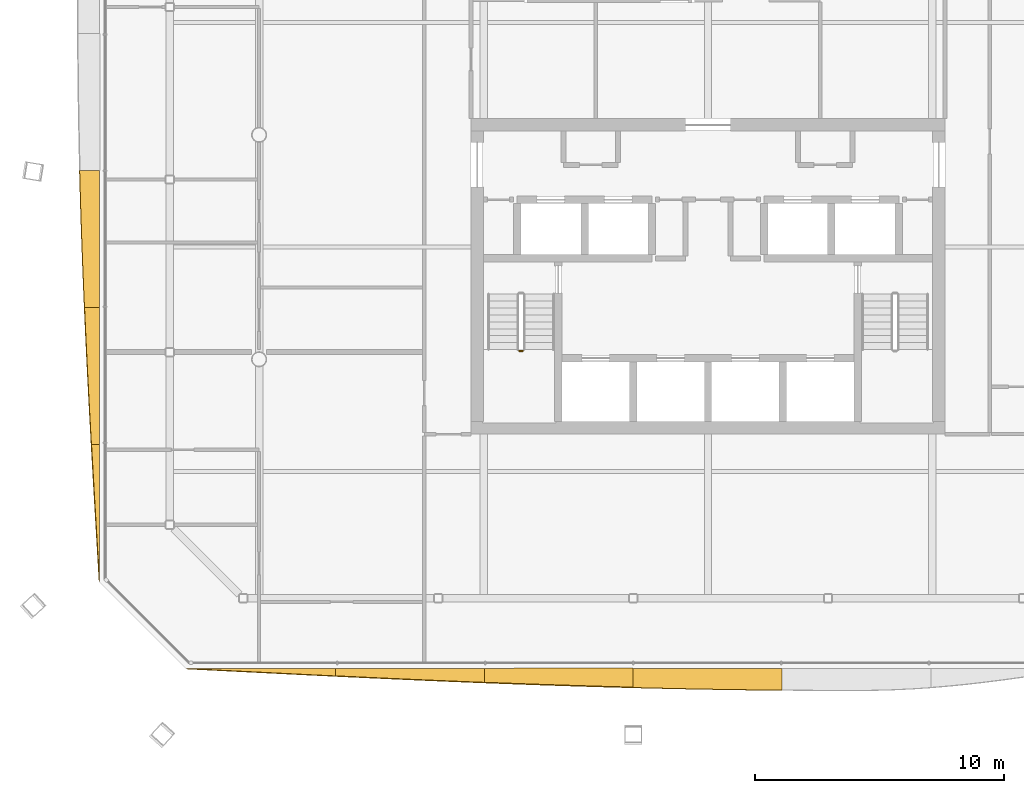
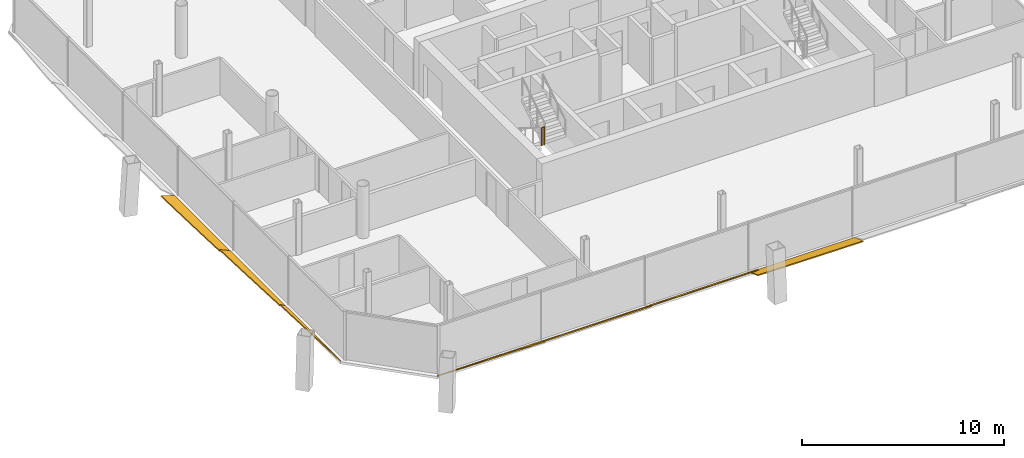
# One storey, part 17 of 20: 7 shading devices, 1 railing.
"""IFC4 building model written with IfcOpenShell, lengths in metres."""

from ifc_helpers import new_model, si_unit, direction, frame, origin, origin_2d, place, context, subcontext, project, spatial, polyline, circle, outline, extrude, material, layer, layer_set, type_object, element, save


model = new_model("IFC4")

# Units and contexts
model_context = context("Model", 3, precision=1e-05, world=origin(), true_north=direction((0.0, 1.0)))
body_context = subcontext(model_context, "Body", "Model", "MODEL_VIEW")
ifc_project = project(units=[si_unit("LENGTHUNIT", "METRE"), si_unit("AREAUNIT", "SQUARE_METRE"), si_unit("VOLUMEUNIT", "CUBIC_METRE"), si_unit("PLANEANGLEUNIT", "RADIAN"), si_unit("MASSUNIT", "GRAM", prefix="KILO")], contexts=[model_context])

# Site, building, storey
site_placement = place(None, origin())
site = spatial("IfcSite", under=ifc_project, at=site_placement, CompositionType="ELEMENT")
building_placement = place(site_placement, origin())
building = spatial("IfcBuilding", under=site, at=building_placement, Name="Tskaro Facet Tower", CompositionType="ELEMENT")
storey_placement = place(building_placement, frame((0.0, 0.0, 175.35009765625)))
storey = spatial("IfcBuildingStorey", under=building, at=storey_placement, Name="L43", CompositionType="ELEMENT", Elevation=175.35009765625)

# Shading devices
ifc_material_1 = material(Name="Bronze anodised aluminium 6063-T6", Category="aluminium")
ifc_layer = layer(ifc_material_1, 0.06005859375, Name="Bronze anodised aluminium 6063-T6")
ifc_layer_set = layer_set([ifc_layer], Name="Bronze anodised aluminium 6063-T6")
shading_device_type = type_object("IfcShadingDeviceType", Name="Bronze sun blade (FN1)", PredefinedType="USERDEFINED", material=ifc_layer_set)
shading_device_1_placement = place(storey_placement, frame((-20.904052734375, -21.39599609375, 0.0517578125), z_axis=(1.1744313e-05, 0.500205972774, 0.865906452605), x_axis=(0.999999999931, -5.874576e-06, -1.0169476e-05)))
element("IfcShadingDevice", 1, at=shading_device_1_placement, inside=storey, type_object=shading_device_type, Name="Fin blade south 1", ObjectType="FIN", PredefinedType="USERDEFINED", context=body_context, shape_type="SweptSolid", body=[
    extrude(outline(polyline([(0.0, 0.0), (5.968017577713419, 0.0), (5.968017578537596, -0.3442180150229075), (5.222167969419818, -0.30276153156820484), (4.476074217857171, -0.26054871868703666), (3.7299804673430845, -0.21800238226449306), (2.9841308595511005, -0.1747889987591987), (2.238037109699911, -0.13136421231135925), (1.4919433584144992, -0.08772802292097473), (0.7460937502368524, -0.04396971293175991), (0.0, 0.0)])), origin(), (0.0, 0.0, -1.0), 0.06005859375),
])
shading_device_2_placement = place(storey_placement, frame((-14.93603515625, -21.3916015625, 0.049072265625), z_axis=(1.3188853e-05, 0.573541659502, 0.819176394094), x_axis=(0.999999999913, -7.564357e-06, -1.0803997e-05)))
element("IfcShadingDevice", 2, at=shading_device_2_placement, inside=storey, type_object=shading_device_type, Name="Fin blade south 2", ObjectType="FIN", PredefinedType="USERDEFINED", context=body_context, shape_type="SweptSolid", body=[
    extrude(outline(polyline([(0.0, 0.0), (5.968017577605944, -5.0551075184646904e-21), (5.968017579007212, -0.684206652320444), (5.221923827970597, -0.6479052457896488), (4.476074218084978, -0.6103837878537466), (3.729980469947164, -0.571842272749594), (2.9841308584758846, -0.5320207368227041), (2.2380371105991763, -0.4913791379644206), (1.4919433579730954, -0.44979753733948324), (0.746093748344777, -0.40719587954629555), (-3.2666464606672974e-10, -0.36391418364094097), (0.0, 0.0)])), origin(), (0.0, 0.0, -1.0), 0.06005859375),
])
shading_device_3_placement = place(storey_placement, frame((-8.968017578125, -21.387451171875, 0.0458984375), z_axis=(-9.145241e-06, 0.64275645238, 0.766070586069), x_axis=(0.999999999958, 5.878163e-06, 7.0059e-06)))
element("IfcShadingDevice", 3, at=shading_device_3_placement, inside=storey, type_object=shading_device_type, Name="Fin blade south 3", ObjectType="FIN", PredefinedType="USERDEFINED", context=body_context, shape_type="SweptSolid", body=[
    extrude(outline(polyline([(0.0, 0.0), (5.968017577875432, 0.0), (5.968017578219476, -0.9863835378133914), (5.22192382818475, -0.960563431310008), (4.476074218833479, -0.9328365362864482), (3.7299804689156844, -0.9032028527427126), (2.984130858521573, -0.8721933615441839), (2.2380371092713625, -0.8394340047874926), (1.4919433586445192, -0.8049548884623101), (0.7460937506868828, -0.7690698584926632), (-7.074743795881339e-10, -0.7316520979062098), (0.0, 0.0)])), origin(), (0.0, 0.0, -1.0), 0.06005859375),
])
shading_device_4_placement = place(storey_placement, frame((-3.0, -21.405517578125, 0.056396484375), z_axis=(-5.3544e-06, 0.341912381831, 0.93973183575), x_axis=(0.999999999986, 1.830736e-06, 5.0317e-06)))
element("IfcShadingDevice", 4, at=shading_device_4_placement, inside=storey, type_object=shading_device_type, Name="Fin blade south 4", ObjectType="FIN", PredefinedType="USERDEFINED", context=body_context, shape_type="SweptSolid", body=[
    extrude(outline(polyline([(0.0, 0.0), (5.96801757803945, 1.2637768796161726e-21), (5.968017578273303, -0.9152848952412548), (5.221923827398355, -0.9071709705609089), (4.476074219048658, -0.8973675841539563), (3.72998046907038, -0.88593721333292), (2.9838867180885167, -0.8728798580977996), (2.238037109631906, -0.8581330411360726), (1.49194335999367, -0.8415298130425459), (0.7460937495298883, -0.823529027252651), (-1.0559084535111975e-10, -0.8040682064538652), (0.0, 0.0)])), origin(), (0.0, 0.0, -1.0), 0.06005859375),
])
shading_device_5_placement = place(storey_placement, frame((-24.405517578125, -1.4345703125, 0.056396484375), z_axis=(0.341905826105, 8.509213e-06, 0.939734220939), x_axis=(2.909349e-06, -0.999999999964, 7.996399e-06)))
element("IfcShadingDevice", 5, at=shading_device_5_placement, inside=storey, type_object=shading_device_type, Name="Fin blade west 4", ObjectType="FIN", PredefinedType="USERDEFINED", context=body_context, shape_type="SweptSolid", body=[
    extrude(outline(polyline([(0.0, 0.0), (5.489746093551252, 2.3249979067334225e-21), (5.489746094036902, -0.6339267267493637), (4.8034667958984665, -0.6650473461438363), (4.117187499359238, -0.6949373559360188), (3.4311523445125416, -0.7230544284237476), (2.7448730467355684, -0.7497739451050272), (2.0585937500261373, -0.774720524481853), (1.3723144524320012, -0.7978106934521455), (0.686279297772353, -0.8194408255201058), (-3.492365350674383e-10, -0.8391310740794533), (0.0, 0.0)])), origin(), (0.0, 0.0, -1.0), 0.06005859375),
])
shading_device_6_placement = place(storey_placement, frame((-24.400634765625, -6.92431640625, 0.05419921875), z_axis=(0.422874029417, 1.9719196e-05, 0.906188476453), x_axis=(8.338736e-06, -0.999999999806, 1.7869308e-05)))
element("IfcShadingDevice", 6, at=shading_device_6_placement, inside=storey, type_object=shading_device_type, Name="Fin blade west 5", ObjectType="FIN", PredefinedType="USERDEFINED", context=body_context, shape_type="SweptSolid", body=[
    extrude(outline(polyline([(0.0, 0.0), (5.489746092682665, 4.649995813466845e-21), (5.4897460936430855, -0.35322558567238105), (4.803710936082651, -0.39495071848523045), (4.117431641677936, -0.43568766088401345), (3.431152344655446, -0.47555440955992423), (2.744873047051004, -0.5143297270919107), (2.058593748864611, -0.5520136134799727), (1.3725585927570434, -0.5883848313030584), (0.6862792954425717, -0.6236646179822196), (-2.744827165274839e-09, -0.6573072579454944), (0.0, 0.0)])), origin(), (0.0, 0.0, -1.0), 0.06005859375),
])
shading_device_7_placement = place(storey_placement, frame((-24.39599609375, -12.4140625, 0.0517578125), z_axis=(0.50040262571, -1.0622166e-05, 0.865792822833), x_axis=(-5.31536e-06, -0.999999999944, -9.196595e-06)))
element("IfcShadingDevice", 7, at=shading_device_7_placement, inside=storey, type_object=shading_device_type, Name="Fin blade west 6", ObjectType="FIN", PredefinedType="USERDEFINED", context=body_context, shape_type="SweptSolid", body=[
    extrude(outline(polyline([(0.0, 0.0), (5.489990234065281, 0.0), (4.80371093745134, -0.04736138890156584), (4.117431639539705, -0.0945114026022327), (3.431152343873331, -0.14153924769310022), (2.7451171862365533, -0.18814434238216976), (2.0588378911676193, -0.23429372465074164), (1.3725585948009895, -0.28023173171841453), (0.6862792967865367, -0.3254134445735911), (-6.304768915047769e-10, -0.36971669460647205), (0.0, 0.0)])), origin(), (0.0, 0.0, -1.0), 0.06005859375),
])

# Railing
ifc_material_2 = material(Name="Stainless steel", Category="steel")
railing_type = type_object("IfcRailingType", Name="RL-GUARD-1100", PredefinedType="GUARDRAIL", material=ifc_material_2)
railing_placement = place(storey_placement, frame((-7.574951171875, -8.6650390625, 1.574951171875)))
element("IfcRailing", 8, at=railing_placement, inside=storey, type_object=railing_type, Name="L43 ST-1 stair guard 2", PredefinedType="GUARDRAIL", context=body_context, shape_type="SweptSolid", body=[
    extrude(circle(Radius=0.02392578125, at=origin_2d()), frame((0.0, 0.0, 1.076171875), z_axis=(1.0, 0.0, 0.0), x_axis=(0.0, 1.0, 0.0)), (0.0, 0.0, 1.0), 0.14990234375),
    extrude(circle(Radius=0.02099609375, at=origin_2d()), origin(), (0.0, 0.0, 1.0), 1.052001953125),
    extrude(circle(Radius=0.02099609375, at=origin_2d()), frame((0.14990234375, 0.0, 0.0)), (0.0, 0.0, 1.0), 1.052001953125),
])

save(model, "model.ifc")
